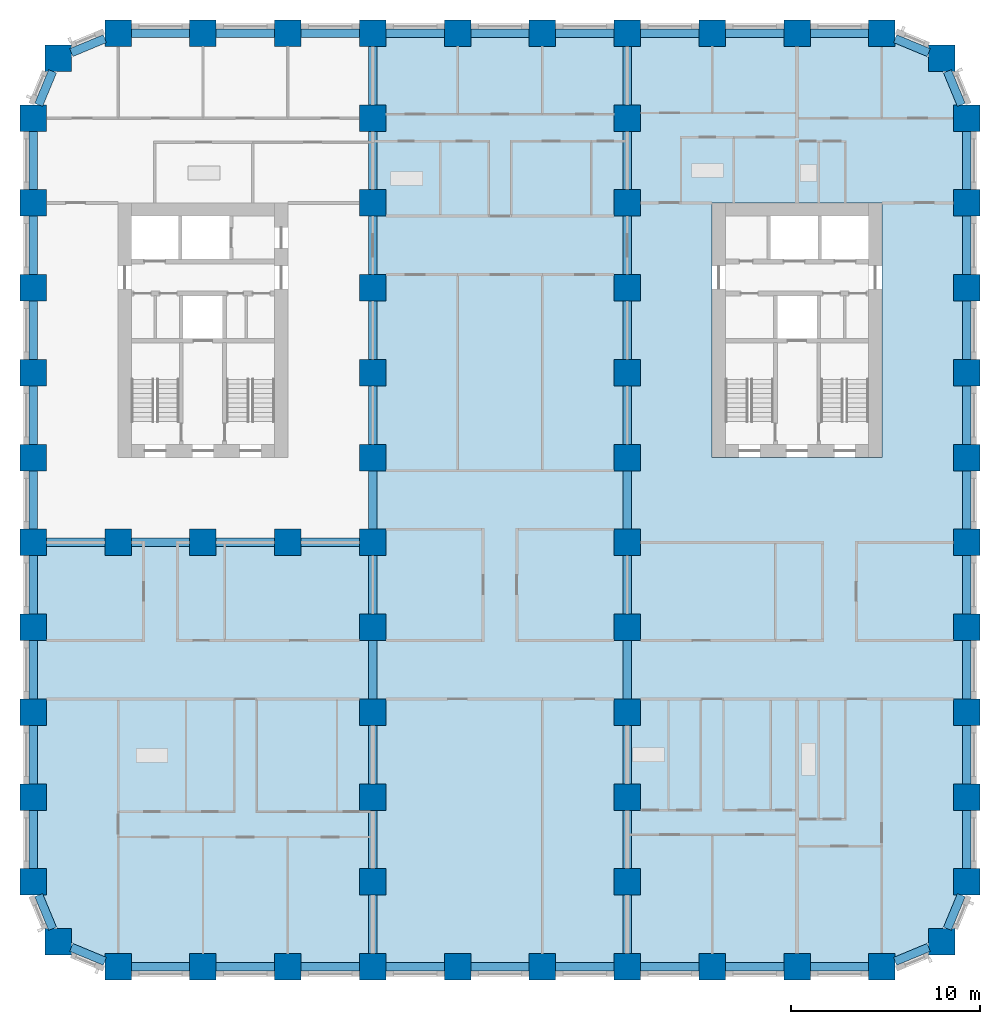
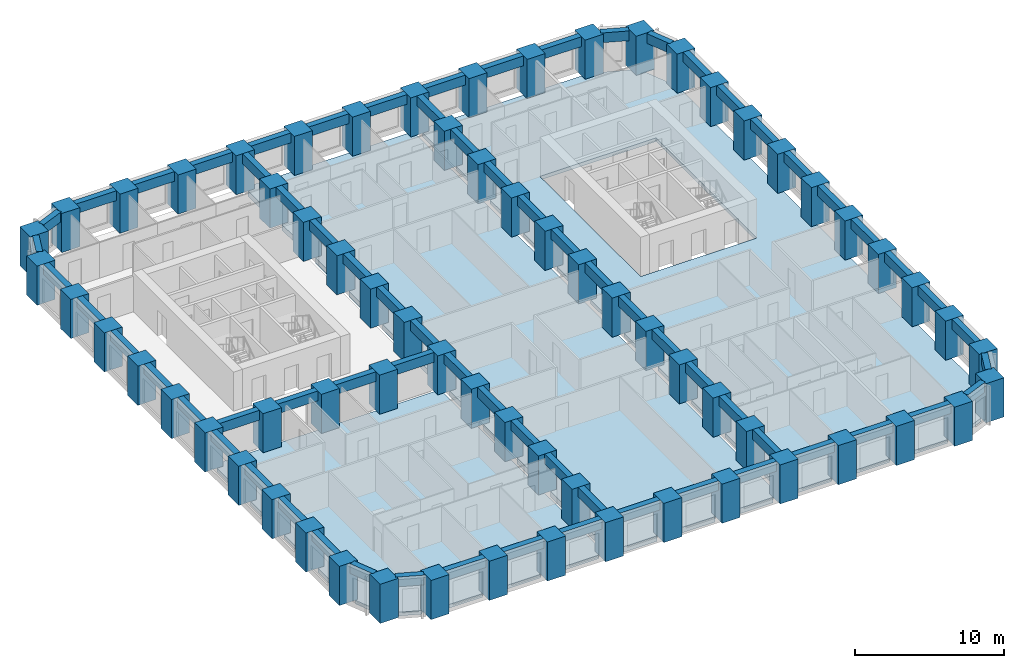
# One storey, part 1 of 13: 70 beams, 67 columns, 3 slabs.
"""IFC4 building model written with IfcOpenShell, lengths in metres."""

from ifc_helpers import new_model, si_unit, direction, frame, origin, origin_2d, place, context, subcontext, project, spatial, polyline, rectangle, outline, extrude, material, layer, layer_set, material_profile, profile_set, type_object, element, save


model = new_model("IFC4")

# Units and contexts
model_context = context("Model", 3, precision=1e-05, world=origin(), true_north=direction((0.0, 1.0)))
body_context = subcontext(model_context, "Body", "Model", "MODEL_VIEW")
ifc_project = project(units=[si_unit("LENGTHUNIT", "METRE"), si_unit("AREAUNIT", "SQUARE_METRE"), si_unit("VOLUMEUNIT", "CUBIC_METRE"), si_unit("PLANEANGLEUNIT", "RADIAN"), si_unit("MASSUNIT", "GRAM", prefix="KILO")], contexts=[model_context])

# Site, building, storey
site_placement = place(None, origin())
site = spatial("IfcSite", under=ifc_project, at=site_placement, CompositionType="ELEMENT")
building_placement = place(site_placement, origin())
building = spatial("IfcBuilding", under=site, at=building_placement, Name="Girih Gate Residences", CompositionType="ELEMENT")
storey_placement = place(building_placement, frame((0.0, 0.0, 56.0)))
storey = spatial("IfcBuildingStorey", under=building, at=storey_placement, Name="L14", CompositionType="ELEMENT", Elevation=56.0)

# Columns
ifc_material_1 = material(Name="Concrete C80/95", Category="concrete")
ifc_material_profile_1 = material_profile(ifc_material_1, rectangle(XDim=1.39990234375, YDim=1.39990234375, at=origin_2d()))
ifc_profile_set_1 = profile_set([ifc_material_profile_1], Name="Concrete C80/95")
column_type = type_object("IfcColumnType", Name="Pier RC 1400x1400 Concrete C80/95", PredefinedType="COLUMN", material=ifc_profile_set_1)
for number, where, z_axis, x_axis, name in (
    (1, (4.5, 0.0, 0.0), (0.0, 0.0, 1.0), (1.0, 0.0, 0.0), "Pier P2A L14"),
    (2, (9.0, 0.0, 0.0), (0.0, 0.0, 1.0), (1.0, 0.0, 0.0), "Pier P3A L14"),
    (3, (13.5, 0.0, 0.0), (0.0, 0.0, 1.0), (1.0, 0.0, 0.0), "Pier P4A L14"),
    (4, (18.0, 0.0, 0.0), (0.0, 0.0, 1.0), (1.0, 0.0, 0.0), "Pier P5A L14"),
    (5, (22.5, 0.0, 0.0), (0.0, 0.0, 1.0), (1.0, 0.0, 0.0), "Pier P6A L14"),
    (6, (27.0, 0.0, 0.0), (0.0, 0.0, 1.0), (1.0, 0.0, 0.0), "Pier P7A L14"),
    (7, (31.5, 0.0, 0.0), (0.0, 0.0, 1.0), (1.0, 0.0, 0.0), "Pier P8A L14"),
    (8, (36.0, 0.0, 0.0), (0.0, 0.0, 1.0), (1.0, 0.0, 0.0), "Pier P9A L14"),
    (9, (40.5, 0.0, 0.0), (0.0, 0.0, 1.0), (1.0, 0.0, 0.0), "Pier P10A L14"),
    (10, (45.0, 0.0, 0.0), (0.0, 0.0, 1.0), (1.0, 0.0, 0.0), "Pier P11A L14"),
    (11, (1.318115234375, 1.318115234375, 0.0), (0.0, 0.0, 1.0), (1.0, 0.0, 0.0), "Pier P1ANE L14"),
    (12, (48.181884765625, 1.318115234375, 0.0), (0.0, 0.0, 1.0), (1.0, 0.0, 0.0), "Pier P12ANW L14"),
    (13, (0.0, 4.5, 0.0), (0.0, 0.0, 1.0), (1.0, 0.0, 0.0), "Pier P1B L14"),
    (14, (18.0, 4.5, 0.0), (0.0, 0.0, 1.0), (1.0, 0.0, 0.0), "Pier P5B L14"),
    (15, (31.5, 4.5, 0.0), (0.0, 0.0, 1.0), (1.0, 0.0, 0.0), "Pier P8B L14"),
    (16, (49.5, 4.5, 0.0), (0.0, 0.0, 1.0), (1.0, 0.0, 0.0), "Pier P12B L14"),
    (17, (0.0, 9.0, 0.0), (0.0, 0.0, 1.0), (1.0, 0.0, 0.0), "Pier P1C L14"),
    (18, (18.0, 9.0, 0.0), (0.0, 0.0, 1.0), (1.0, 0.0, 0.0), "Pier P5C L14"),
    (19, (31.5, 9.0, 0.0), (0.0, 0.0, 1.0), (1.0, 0.0, 0.0), "Pier P8C L14"),
    (20, (49.5, 9.0, 0.0), (0.0, 0.0, 1.0), (1.0, 0.0, 0.0), "Pier P12C L14"),
    (21, (0.0, 13.5, 0.0), (0.0, 0.0, 1.0), (1.0, 0.0, 0.0), "Pier P1D L14"),
    (22, (18.0, 13.5, 0.0), (0.0, 0.0, 1.0), (1.0, 0.0, 0.0), "Pier P5D L14"),
    (23, (31.5, 13.5, 0.0), (0.0, 0.0, 1.0), (1.0, 0.0, 0.0), "Pier P8D L14"),
    (24, (49.5, 13.5, 0.0), (0.0, 0.0, 1.0), (1.0, 0.0, 0.0), "Pier P12D L14"),
    (25, (0.0, 18.0, 0.0), (0.0, 0.0, 1.0), (1.0, 0.0, 0.0), "Pier P1E L14"),
    (26, (18.0, 18.0, 0.0), (0.0, 0.0, 1.0), (1.0, 0.0, 0.0), "Pier P5E L14"),
    (27, (31.5, 18.0, 0.0), (0.0, 0.0, 1.0), (1.0, 0.0, 0.0), "Pier P8E L14"),
    (28, (49.5, 18.0, 0.0), (0.0, 0.0, 1.0), (1.0, 0.0, 0.0), "Pier P12E L14"),
    (29, (0.0, 22.5, 0.0), (0.0, 0.0, 1.0), (1.0, 0.0, 0.0), "Pier P1F L14"),
    (30, (4.5, 22.5, 0.0), (0.0, 0.0, 1.0), (1.0, 0.0, 0.0), "Pier P2F L14"),
    (31, (9.0, 22.5, 0.0), (0.0, 0.0, 1.0), (1.0, 0.0, 0.0), "Pier P3F L14"),
    (32, (13.5, 22.5, 0.0), (0.0, 0.0, 1.0), (1.0, 0.0, 0.0), "Pier P4F L14"),
    (33, (18.0, 22.5, 0.0), (0.0, 0.0, 1.0), (1.0, 0.0, 0.0), "Pier P5F L14"),
    (34, (31.5, 22.5, 0.0), (0.0, 0.0, 1.0), (1.0, 0.0, 0.0), "Pier P8F L14"),
    (35, (49.5, 22.5, 0.0), (0.0, 0.0, 1.0), (1.0, 0.0, 0.0), "Pier P12F L14"),
    (36, (0.0, 27.0, 0.0), (0.0, 0.0, 1.0), (1.0, 0.0, 0.0), "Pier P1G L14"),
    (37, (18.0, 27.0, 0.0), (0.0, 0.0, 1.0), (1.0, 0.0, 0.0), "Pier P5G L14"),
    (38, (31.5, 27.0, 0.0), (0.0, 0.0, 1.0), (1.0, 0.0, 0.0), "Pier P8G L14"),
    (39, (49.5, 27.0, 0.0), (0.0, 0.0, 1.0), (1.0, 0.0, 0.0), "Pier P12G L14"),
    (40, (0.0, 31.5, 0.0), (0.0, 0.0, 1.0), (1.0, 0.0, 0.0), "Pier P1H L14"),
    (41, (18.0, 31.5, 0.0), (0.0, 0.0, 1.0), (1.0, 0.0, 0.0), "Pier P5H L14"),
    (42, (31.5, 31.5, 0.0), (0.0, 0.0, 1.0), (1.0, 0.0, 0.0), "Pier P8H L14"),
    (43, (49.5, 31.5, 0.0), (0.0, 0.0, 1.0), (1.0, 0.0, 0.0), "Pier P12H L14"),
    (44, (0.0, 36.0, 0.0), (0.0, 0.0, 1.0), (1.0, 0.0, 0.0), "Pier P1I L14"),
    (45, (18.0, 36.0, 0.0), (0.0, 0.0, 1.0), (1.0, 0.0, 0.0), "Pier P5I L14"),
    (46, (31.5, 36.0, 0.0), (0.0, 0.0, 1.0), (1.0, 0.0, 0.0), "Pier P8I L14"),
    (47, (49.5, 36.0, 0.0), (0.0, 0.0, 1.0), (1.0, 0.0, 0.0), "Pier P12I L14"),
    (48, (0.0, 40.5, 0.0), (0.0, 0.0, 1.0), (1.0, 0.0, 0.0), "Pier P1J L14"),
    (49, (18.0, 40.5, 0.0), (0.0, 0.0, 1.0), (1.0, 0.0, 0.0), "Pier P5J L14"),
    (50, (31.5, 40.5, 0.0), (0.0, 0.0, 1.0), (1.0, 0.0, 0.0), "Pier P8J L14"),
    (51, (49.5, 40.5, 0.0), (0.0, 0.0, 1.0), (1.0, 0.0, 0.0), "Pier P12J L14"),
    (52, (0.0, 45.0, 0.0), (0.0, 0.0, 1.0), (1.0, 0.0, 0.0), "Pier P1K L14"),
    (53, (18.0, 45.0, 0.0), (0.0, 0.0, 1.0), (1.0, 0.0, 0.0), "Pier P5K L14"),
    (54, (31.5, 45.0, 0.0), (0.0, 0.0, 1.0), (1.0, 0.0, 0.0), "Pier P8K L14"),
    (55, (49.5, 45.0, 0.0), (0.0, 0.0, 1.0), (1.0, 0.0, 0.0), "Pier P12K L14"),
    (56, (1.318115234375, 48.181884765625, 0.0), (0.0, 0.0, 1.0), (1.0, 0.0, 0.0), "Pier P1LSE L14"),
    (57, (48.181884765625, 48.181884765625, 0.0), (0.0, 0.0, 1.0), (1.0, 0.0, 0.0), "Pier P12LSW L14"),
    (58, (4.5, 49.5, 0.0), (0.0, 0.0, 1.0), (1.0, 0.0, 0.0), "Pier P2L L14"),
    (59, (9.0, 49.5, 0.0), (0.0, 0.0, 1.0), (1.0, 0.0, 0.0), "Pier P3L L14"),
    (60, (13.5, 49.5, 0.0), (0.0, 0.0, 1.0), (1.0, 0.0, 0.0), "Pier P4L L14"),
    (61, (18.0, 49.5, 0.0), (0.0, 0.0, 1.0), (1.0, 0.0, 0.0), "Pier P5L L14"),
    (62, (22.5, 49.5, 0.0), (0.0, 0.0, 1.0), (1.0, 0.0, 0.0), "Pier P6L L14"),
    (63, (27.0, 49.5, 0.0), (0.0, 0.0, 1.0), (1.0, 0.0, 0.0), "Pier P7L L14"),
    (64, (31.5, 49.5, 0.0), (0.0, 0.0, 1.0), (1.0, 0.0, 0.0), "Pier P8L L14"),
    (65, (36.0, 49.5, 0.0), (0.0, 0.0, 1.0), (1.0, 0.0, 0.0), "Pier P9L L14"),
    (66, (40.5, 49.5, 0.0), (0.0, 0.0, 1.0), (1.0, 0.0, 0.0), "Pier P10L L14"),
    (67, (45.0, 49.5, 0.0), (0.0, 0.0, 1.0), (1.0, 0.0, 0.0), "Pier P11L L14"),
):
    element("IfcColumn", number, at=place(storey_placement, frame(where, z_axis=z_axis, x_axis=x_axis)), inside=storey, type_object=column_type, Name=name, PredefinedType="COLUMN", context=body_context, shape_type="SweptSolid", body=[
        extrude(rectangle(XDim=1.39990234375, YDim=1.39990234375, at=origin_2d()), origin(), (0.0, 0.0, 1.0), 3.199951171875),
    ])

# Beams
ifc_material_2 = material(Name="Concrete C60/75", Category="concrete")
ifc_material_profile_2 = material_profile(ifc_material_2, rectangle(XDim=0.449951171875, YDim=0.800048828125, at=origin_2d()))
ifc_profile_set_2 = profile_set([ifc_material_profile_2], Name="Concrete C60/75")
beam_type = type_object("IfcBeamType", Name="Spandrel girder RC 450x800 Concrete C60/75", PredefinedType="BEAM", material=ifc_profile_set_2)
for number, where, z_axis, x_axis, name in (
    (68, (0.2900390625, 3.800048828125, 2.800048828125), (0.382646180293, -0.923894961945, 0.0), (0.923894961945, 0.382646180293, 0.0), "Spandrel girder SP-P1B-P1ANE L14"),
    (69, (2.01806640625, 1.028076171875, 2.800048828125), (0.923894961945, -0.382646180293, 0.0), (0.382646180293, 0.923894961945, 0.0), "Spandrel girder SP-P1ANE-P2A L14"),
):
    element("IfcBeam", number, at=place(storey_placement, frame(where, z_axis=z_axis, x_axis=x_axis)), inside=storey, type_object=beam_type, Name=name, PredefinedType="BEAM", context=body_context, shape_type="SweptSolid", body=[
        extrude(rectangle(XDim=0.449951171875, YDim=0.800048828125, at=origin_2d()), origin(), (0.0, 0.0, 1.0), 1.9287109375),
    ])
for number, where, z_axis, x_axis, name in (
    (70, (5.199951171875, 0.0, 2.800048828125), (1.0, 0.0, 0.0), (0.0, 1.0, 0.0), "Spandrel girder SP-P2A-P3A L14"),
    (71, (9.699951171875, 0.0, 2.800048828125), (1.0, 0.0, 0.0), (0.0, 1.0, 0.0), "Spandrel girder SP-P3A-P4A L14"),
    (72, (14.199951171875, 0.0, 2.800048828125), (1.0, 0.0, 0.0), (0.0, 1.0, 0.0), "Spandrel girder SP-P4A-P5A L14"),
    (73, (18.699951171875, 0.0, 2.800048828125), (1.0, 0.0, 0.0), (0.0, 1.0, 0.0), "Spandrel girder SP-P5A-P6A L14"),
    (74, (23.199951171875, 0.0, 2.800048828125), (1.0, 0.0, 0.0), (0.0, 1.0, 0.0), "Spandrel girder SP-P6A-P7A L14"),
    (75, (27.699951171875, 0.0, 2.800048828125), (1.0, 0.0, 0.0), (0.0, 1.0, 0.0), "Spandrel girder SP-P7A-P8A L14"),
    (76, (32.199951171875, 0.0, 2.800048828125), (1.0, 0.0, 0.0), (0.0, 1.0, 0.0), "Spandrel girder SP-P8A-P9A L14"),
    (77, (36.699951171875, 0.0, 2.800048828125), (1.0, 0.0, 0.0), (0.0, 1.0, 0.0), "Spandrel girder SP-P9A-P10A L14"),
    (78, (41.199951171875, 0.0, 2.800048828125), (1.0, 0.0, 0.0), (0.0, 1.0, 0.0), "Spandrel girder SP-P10A-P11A L14"),
):
    element("IfcBeam", number, at=place(storey_placement, frame(where, z_axis=z_axis, x_axis=x_axis)), inside=storey, type_object=beam_type, Name=name, PredefinedType="BEAM", context=body_context, shape_type="SweptSolid", body=[
        extrude(rectangle(XDim=0.449951171875, YDim=0.800048828125, at=origin_2d()), origin(), (0.0, 0.0, 1.0), 3.10009765625),
    ])
for number, where, z_axis, x_axis, name in (
    (79, (45.699951171875, 0.2900390625, 2.800048828125), (0.923894961945, 0.382646180293, 0.0), (-0.382646180293, 0.923894961945, 0.0), "Spandrel girder SP-P11A-P12ANW L14"),
    (80, (48.471923828125, 2.01806640625, 2.800048828125), (0.382646180293, 0.923894961945, 0.0), (-0.923894961945, 0.382646180293, 0.0), "Spandrel girder SP-P12ANW-P12B L14"),
):
    element("IfcBeam", number, at=place(storey_placement, frame(where, z_axis=z_axis, x_axis=x_axis)), inside=storey, type_object=beam_type, Name=name, PredefinedType="BEAM", context=body_context, shape_type="SweptSolid", body=[
        extrude(rectangle(XDim=0.449951171875, YDim=0.800048828125, at=origin_2d()), origin(), (0.0, 0.0, 1.0), 1.9287109375),
    ])
for number, where, z_axis, x_axis, name in (
    (81, (49.5, 5.199951171875, 2.800048828125), (0.0, 1.0, 0.0), (-1.0, 0.0, 0.0), "Spandrel girder SP-P12B-P12C L14"),
    (82, (49.5, 9.699951171875, 2.800048828125), (0.0, 1.0, 0.0), (-1.0, 0.0, 0.0), "Spandrel girder SP-P12C-P12D L14"),
    (83, (49.5, 14.199951171875, 2.800048828125), (0.0, 1.0, 0.0), (-1.0, 0.0, 0.0), "Spandrel girder SP-P12D-P12E L14"),
    (84, (49.5, 18.699951171875, 2.800048828125), (0.0, 1.0, 0.0), (-1.0, 0.0, 0.0), "Spandrel girder SP-P12E-P12F L14"),
    (85, (49.5, 23.199951171875, 2.800048828125), (0.0, 1.0, 0.0), (-1.0, 0.0, 0.0), "Spandrel girder SP-P12F-P12G L14"),
    (86, (49.5, 27.699951171875, 2.800048828125), (0.0, 1.0, 0.0), (-1.0, 0.0, 0.0), "Spandrel girder SP-P12G-P12H L14"),
    (87, (49.5, 32.199951171875, 2.800048828125), (0.0, 1.0, 0.0), (-1.0, 0.0, 0.0), "Spandrel girder SP-P12H-P12I L14"),
    (88, (49.5, 36.699951171875, 2.800048828125), (0.0, 1.0, 0.0), (-1.0, 0.0, 0.0), "Spandrel girder SP-P12I-P12J L14"),
    (89, (49.5, 41.199951171875, 2.800048828125), (0.0, 1.0, 0.0), (-1.0, 0.0, 0.0), "Spandrel girder SP-P12J-P12K L14"),
):
    element("IfcBeam", number, at=place(storey_placement, frame(where, z_axis=z_axis, x_axis=x_axis)), inside=storey, type_object=beam_type, Name=name, PredefinedType="BEAM", context=body_context, shape_type="SweptSolid", body=[
        extrude(rectangle(XDim=0.449951171875, YDim=0.800048828125, at=origin_2d()), origin(), (0.0, 0.0, 1.0), 3.10009765625),
    ])
for number, where, z_axis, x_axis, name in (
    (90, (49.2099609375, 45.699951171875, 2.800048828125), (-0.382646180293, 0.923894961945, 0.0), (-0.923894961945, -0.382646180293, 0.0), "Spandrel girder SP-P12K-P12LSW L14"),
    (91, (47.48193359375, 48.471923828125, 2.800048828125), (-0.923894961945, 0.382646180293, 0.0), (-0.382646180293, -0.923894961945, 0.0), "Spandrel girder SP-P12LSW-P11L L14"),
):
    element("IfcBeam", number, at=place(storey_placement, frame(where, z_axis=z_axis, x_axis=x_axis)), inside=storey, type_object=beam_type, Name=name, PredefinedType="BEAM", context=body_context, shape_type="SweptSolid", body=[
        extrude(rectangle(XDim=0.449951171875, YDim=0.800048828125, at=origin_2d()), origin(), (0.0, 0.0, 1.0), 1.9287109375),
    ])
for number, where, z_axis, x_axis, name in (
    (92, (44.300048828125, 49.5, 2.800048828125), (-1.0, 0.0, 0.0), (0.0, -1.0, 0.0), "Spandrel girder SP-P11L-P10L L14"),
    (93, (39.800048828125, 49.5, 2.800048828125), (-1.0, 0.0, 0.0), (0.0, -1.0, 0.0), "Spandrel girder SP-P10L-P9L L14"),
    (94, (35.300048828125, 49.5, 2.800048828125), (-1.0, 0.0, 0.0), (0.0, -1.0, 0.0), "Spandrel girder SP-P9L-P8L L14"),
    (95, (30.800048828125, 49.5, 2.800048828125), (-1.0, 0.0, 0.0), (0.0, -1.0, 0.0), "Spandrel girder SP-P8L-P7L L14"),
    (96, (26.300048828125, 49.5, 2.800048828125), (-1.0, 0.0, 0.0), (0.0, -1.0, 0.0), "Spandrel girder SP-P7L-P6L L14"),
    (97, (21.800048828125, 49.5, 2.800048828125), (-1.0, 0.0, 0.0), (0.0, -1.0, 0.0), "Spandrel girder SP-P6L-P5L L14"),
    (98, (17.300048828125, 49.5, 2.800048828125), (-1.0, 0.0, 0.0), (0.0, -1.0, 0.0), "Spandrel girder SP-P5L-P4L L14"),
    (99, (12.800048828125, 49.5, 2.800048828125), (-1.0, 0.0, 0.0), (0.0, -1.0, 0.0), "Spandrel girder SP-P4L-P3L L14"),
    (100, (8.300048828125, 49.5, 2.800048828125), (-1.0, 0.0, 0.0), (0.0, -1.0, 0.0), "Spandrel girder SP-P3L-P2L L14"),
):
    element("IfcBeam", number, at=place(storey_placement, frame(where, z_axis=z_axis, x_axis=x_axis)), inside=storey, type_object=beam_type, Name=name, PredefinedType="BEAM", context=body_context, shape_type="SweptSolid", body=[
        extrude(rectangle(XDim=0.449951171875, YDim=0.800048828125, at=origin_2d()), origin(), (0.0, 0.0, 1.0), 3.10009765625),
    ])
for number, where, z_axis, x_axis, name in (
    (101, (3.800048828125, 49.2099609375, 2.800048828125), (-0.923894961945, -0.382646180293, 0.0), (0.382646180293, -0.923894961945, 0.0), "Spandrel girder SP-P2L-P1LSE L14"),
    (102, (1.028076171875, 47.48193359375, 2.800048828125), (-0.382646180293, -0.923894961945, 0.0), (0.923894961945, -0.382646180293, 0.0), "Spandrel girder SP-P1LSE-P1K L14"),
):
    element("IfcBeam", number, at=place(storey_placement, frame(where, z_axis=z_axis, x_axis=x_axis)), inside=storey, type_object=beam_type, Name=name, PredefinedType="BEAM", context=body_context, shape_type="SweptSolid", body=[
        extrude(rectangle(XDim=0.449951171875, YDim=0.800048828125, at=origin_2d()), origin(), (0.0, 0.0, 1.0), 1.9287109375),
    ])
for number, where, z_axis, x_axis, name in (
    (103, (0.0, 44.300048828125, 2.800048828125), (0.0, -1.0, 0.0), (1.0, 0.0, 0.0), "Spandrel girder SP-P1K-P1J L14"),
    (104, (0.0, 39.800048828125, 2.800048828125), (0.0, -1.0, 0.0), (1.0, 0.0, 0.0), "Spandrel girder SP-P1J-P1I L14"),
    (105, (0.0, 35.300048828125, 2.800048828125), (0.0, -1.0, 0.0), (1.0, 0.0, 0.0), "Spandrel girder SP-P1I-P1H L14"),
    (106, (0.0, 30.800048828125, 2.800048828125), (0.0, -1.0, 0.0), (1.0, 0.0, 0.0), "Spandrel girder SP-P1H-P1G L14"),
    (107, (0.0, 26.300048828125, 2.800048828125), (0.0, -1.0, 0.0), (1.0, 0.0, 0.0), "Spandrel girder SP-P1G-P1F L14"),
    (108, (0.0, 21.800048828125, 2.800048828125), (0.0, -1.0, 0.0), (1.0, 0.0, 0.0), "Spandrel girder SP-P1F-P1E L14"),
    (109, (0.0, 17.300048828125, 2.800048828125), (0.0, -1.0, 0.0), (1.0, 0.0, 0.0), "Spandrel girder SP-P1E-P1D L14"),
    (110, (0.0, 12.800048828125, 2.800048828125), (0.0, -1.0, 0.0), (1.0, 0.0, 0.0), "Spandrel girder SP-P1D-P1C L14"),
    (111, (0.0, 8.300048828125, 2.800048828125), (0.0, -1.0, 0.0), (1.0, 0.0, 0.0), "Spandrel girder SP-P1C-P1B L14"),
    (112, (18.0, 0.699951171875, 2.800048828125), (0.0, 1.0, 0.0), (-1.0, 0.0, 0.0), "Spandrel girder SP-P5A-P5B L14"),
    (113, (18.0, 5.199951171875, 2.800048828125), (0.0, 1.0, 0.0), (-1.0, 0.0, 0.0), "Spandrel girder SP-P5B-P5C L14"),
    (114, (18.0, 9.699951171875, 2.800048828125), (0.0, 1.0, 0.0), (-1.0, 0.0, 0.0), "Spandrel girder SP-P5C-P5D L14"),
    (115, (18.0, 14.199951171875, 2.800048828125), (0.0, 1.0, 0.0), (-1.0, 0.0, 0.0), "Spandrel girder SP-P5D-P5E L14"),
    (116, (18.0, 18.699951171875, 2.800048828125), (0.0, 1.0, 0.0), (-1.0, 0.0, 0.0), "Spandrel girder SP-P5E-P5F L14"),
    (117, (18.0, 23.199951171875, 2.800048828125), (0.0, 1.0, 0.0), (-1.0, 0.0, 0.0), "Spandrel girder SP-P5F-P5G L14"),
    (118, (18.0, 27.699951171875, 2.800048828125), (0.0, 1.0, 0.0), (-1.0, 0.0, 0.0), "Spandrel girder SP-P5G-P5H L14"),
    (119, (18.0, 32.199951171875, 2.800048828125), (0.0, 1.0, 0.0), (-1.0, 0.0, 0.0), "Spandrel girder SP-P5H-P5I L14"),
    (120, (18.0, 36.699951171875, 2.800048828125), (0.0, 1.0, 0.0), (-1.0, 0.0, 0.0), "Spandrel girder SP-P5I-P5J L14"),
    (121, (18.0, 41.199951171875, 2.800048828125), (0.0, 1.0, 0.0), (-1.0, 0.0, 0.0), "Spandrel girder SP-P5J-P5K L14"),
    (122, (18.0, 45.699951171875, 2.800048828125), (0.0, 1.0, 0.0), (-1.0, 0.0, 0.0), "Spandrel girder SP-P5K-P5L L14"),
    (123, (31.5, 0.699951171875, 2.800048828125), (0.0, 1.0, 0.0), (-1.0, 0.0, 0.0), "Spandrel girder SP-P8A-P8B L14"),
    (124, (31.5, 5.199951171875, 2.800048828125), (0.0, 1.0, 0.0), (-1.0, 0.0, 0.0), "Spandrel girder SP-P8B-P8C L14"),
    (125, (31.5, 9.699951171875, 2.800048828125), (0.0, 1.0, 0.0), (-1.0, 0.0, 0.0), "Spandrel girder SP-P8C-P8D L14"),
    (126, (31.5, 14.199951171875, 2.800048828125), (0.0, 1.0, 0.0), (-1.0, 0.0, 0.0), "Spandrel girder SP-P8D-P8E L14"),
    (127, (31.5, 18.699951171875, 2.800048828125), (0.0, 1.0, 0.0), (-1.0, 0.0, 0.0), "Spandrel girder SP-P8E-P8F L14"),
    (128, (31.5, 23.199951171875, 2.800048828125), (0.0, 1.0, 0.0), (-1.0, 0.0, 0.0), "Spandrel girder SP-P8F-P8G L14"),
    (129, (31.5, 27.699951171875, 2.800048828125), (0.0, 1.0, 0.0), (-1.0, 0.0, 0.0), "Spandrel girder SP-P8G-P8H L14"),
    (130, (31.5, 32.199951171875, 2.800048828125), (0.0, 1.0, 0.0), (-1.0, 0.0, 0.0), "Spandrel girder SP-P8H-P8I L14"),
    (131, (31.5, 36.699951171875, 2.800048828125), (0.0, 1.0, 0.0), (-1.0, 0.0, 0.0), "Spandrel girder SP-P8I-P8J L14"),
    (132, (31.5, 41.199951171875, 2.800048828125), (0.0, 1.0, 0.0), (-1.0, 0.0, 0.0), "Spandrel girder SP-P8J-P8K L14"),
    (133, (31.5, 45.699951171875, 2.800048828125), (0.0, 1.0, 0.0), (-1.0, 0.0, 0.0), "Spandrel girder SP-P8K-P8L L14"),
    (134, (0.699951171875, 22.5, 2.800048828125), (1.0, 0.0, 0.0), (0.0, 1.0, 0.0), "Spandrel girder SP-P1F-P2F L14"),
    (135, (5.199951171875, 22.5, 2.800048828125), (1.0, 0.0, 0.0), (0.0, 1.0, 0.0), "Spandrel girder SP-P2F-P3F L14"),
    (136, (9.699951171875, 22.5, 2.800048828125), (1.0, 0.0, 0.0), (0.0, 1.0, 0.0), "Spandrel girder SP-P3F-P4F L14"),
    (137, (14.199951171875, 22.5, 2.800048828125), (1.0, 0.0, 0.0), (0.0, 1.0, 0.0), "Spandrel girder SP-P4F-P5F L14"),
):
    element("IfcBeam", number, at=place(storey_placement, frame(where, z_axis=z_axis, x_axis=x_axis)), inside=storey, type_object=beam_type, Name=name, PredefinedType="BEAM", context=body_context, shape_type="SweptSolid", body=[
        extrude(rectangle(XDim=0.449951171875, YDim=0.800048828125, at=origin_2d()), origin(), (0.0, 0.0, 1.0), 3.10009765625),
    ])

# Slabs
ifc_material_3 = material(Name="Concrete C40/50", Category="concrete")
ifc_layer_1 = layer(ifc_material_3, 0.300048828125)
ifc_layer_set_1 = layer_set([ifc_layer_1], Name="Floor slab PT 300 Concrete C40/50")
slab_type_1 = type_object("IfcSlabType", Name="Floor slab PT 300 Concrete C40/50", PredefinedType="FLOOR", material=ifc_layer_set_1)
slab_1_placement = place(storey_placement, frame((0.0, 0.0, -0.300048828125)))
element("IfcSlab", 138, at=slab_1_placement, inside=storey, type_object=slab_type_1, Name="Floor slab L14 0", PredefinedType="FLOOR", context=body_context, shape_type="SweptSolid", body=[
    extrude(outline(polyline([(0.22509765625, 8.300048828125), (0.22509765625, 5.199951171875), (0.699951171875, 5.199951171875), (0.699951171875, 3.800048828125), (0.533447265625, 3.800048828125), (1.271728515625, 2.01806640625), (2.01806640625, 2.01806640625), (2.01806640625, 1.271728515625), (3.800048828125, 0.533447265625), (3.800048828125, 0.699951171875), (5.199951171875, 0.699951171875), (5.199951171875, 0.22509765625), (8.300048828125, 0.22509765625), (8.300048828125, 0.699951171875), (9.699951171875, 0.699951171875), (9.699951171875, 0.22509765625), (12.800048828125, 0.22509765625), (12.800048828125, 0.699951171875), (14.199951171875, 0.699951171875), (14.199951171875, 0.22509765625), (17.300048828125, 0.22509765625), (17.300048828125, 0.699951171875), (17.77490234375, 0.699951171875), (17.77490234375, 3.800048828125), (17.300048828125, 3.800048828125), (17.300048828125, 5.199951171875), (17.77490234375, 5.199951171875), (17.77490234375, 8.300048828125), (17.300048828125, 8.300048828125), (17.300048828125, 9.699951171875), (17.77490234375, 9.699951171875), (17.77490234375, 12.800048828125), (17.300048828125, 12.800048828125), (17.300048828125, 14.199951171875), (17.77490234375, 14.199951171875), (17.77490234375, 17.300048828125), (17.300048828125, 17.300048828125), (17.300048828125, 18.699951171875), (17.77490234375, 18.699951171875), (17.77490234375, 21.800048828125), (17.300048828125, 21.800048828125), (17.300048828125, 22.27490234375), (14.199951171875, 22.27490234375), (14.199951171875, 21.800048828125), (12.800048828125, 21.800048828125), (12.800048828125, 22.27490234375), (9.699951171875, 22.27490234375), (9.699951171875, 21.800048828125), (8.300048828125, 21.800048828125), (8.300048828125, 22.27490234375), (5.199951171875, 22.27490234375), (5.199951171875, 21.800048828125), (3.800048828125, 21.800048828125), (3.800048828125, 22.27490234375), (0.699951171875, 22.27490234375), (0.699951171875, 21.800048828125), (0.22509765625, 21.800048828125), (0.22509765625, 18.699951171875), (0.699951171875, 18.699951171875), (0.699951171875, 17.300048828125), (0.22509765625, 17.300048828125), (0.22509765625, 14.199951171875), (0.699951171875, 14.199951171875), (0.699951171875, 12.800048828125), (0.22509765625, 12.800048828125), (0.22509765625, 9.699951171875), (0.699951171875, 9.699951171875), (0.699951171875, 8.300048828125), (0.22509765625, 8.300048828125)])), origin(), (0.0, 0.0, 1.0), 0.300048828125),
])
slab_2_placement = place(storey_placement, frame((0.0, 0.0, -0.300048828125)))
element("IfcSlab", 139, at=slab_2_placement, inside=storey, type_object=slab_type_1, Name="Floor slab L14 1", PredefinedType="FLOOR", context=body_context, shape_type="SweptSolid", body=[
    extrude(outline(polyline([(35.300048828125, 49.27490234375), (32.199951171875, 49.27490234375), (32.199951171875, 48.800048828125), (31.72509765625, 48.800048828125), (31.72509765625, 45.699951171875), (32.199951171875, 45.699951171875), (32.199951171875, 44.300048828125), (31.72509765625, 44.300048828125), (31.72509765625, 41.199951171875), (32.199951171875, 41.199951171875), (32.199951171875, 39.800048828125), (31.72509765625, 39.800048828125), (31.72509765625, 36.699951171875), (32.199951171875, 36.699951171875), (32.199951171875, 35.300048828125), (31.72509765625, 35.300048828125), (31.72509765625, 32.199951171875), (32.199951171875, 32.199951171875), (32.199951171875, 30.800048828125), (31.72509765625, 30.800048828125), (31.72509765625, 27.699951171875), (32.199951171875, 27.699951171875), (32.199951171875, 26.300048828125), (31.72509765625, 26.300048828125), (31.72509765625, 23.199951171875), (32.199951171875, 23.199951171875), (32.199951171875, 21.800048828125), (31.72509765625, 21.800048828125), (31.72509765625, 18.699951171875), (32.199951171875, 18.699951171875), (32.199951171875, 17.300048828125), (31.72509765625, 17.300048828125), (31.72509765625, 14.199951171875), (32.199951171875, 14.199951171875), (32.199951171875, 12.800048828125), (31.72509765625, 12.800048828125), (31.72509765625, 9.699951171875), (32.199951171875, 9.699951171875), (32.199951171875, 8.300048828125), (31.72509765625, 8.300048828125), (31.72509765625, 5.199951171875), (32.199951171875, 5.199951171875), (32.199951171875, 3.800048828125), (31.72509765625, 3.800048828125), (31.72509765625, 0.699951171875), (32.199951171875, 0.699951171875), (32.199951171875, 0.22509765625), (35.300048828125, 0.22509765625), (35.300048828125, 0.699951171875), (36.699951171875, 0.699951171875), (36.699951171875, 0.22509765625), (39.800048828125, 0.22509765625), (39.800048828125, 0.699951171875), (41.199951171875, 0.699951171875), (41.199951171875, 0.22509765625), (44.300048828125, 0.22509765625), (44.300048828125, 0.699951171875), (45.699951171875, 0.699951171875), (45.699951171875, 0.533447265625), (47.48193359375, 1.271728515625), (47.48193359375, 2.01806640625), (48.228271484375, 2.01806640625), (48.966552734375, 3.800048828125), (48.800048828125, 3.800048828125), (48.800048828125, 5.199951171875), (49.27490234375, 5.199951171875), (49.27490234375, 8.300048828125), (48.800048828125, 8.300048828125), (48.800048828125, 9.699951171875), (49.27490234375, 9.699951171875), (49.27490234375, 12.800048828125), (48.800048828125, 12.800048828125), (48.800048828125, 14.199951171875), (49.27490234375, 14.199951171875), (49.27490234375, 17.300048828125), (48.800048828125, 17.300048828125), (48.800048828125, 18.699951171875), (49.27490234375, 18.699951171875), (49.27490234375, 21.800048828125), (48.800048828125, 21.800048828125), (48.800048828125, 23.199951171875), (49.27490234375, 23.199951171875), (49.27490234375, 26.300048828125), (48.800048828125, 26.300048828125), (48.800048828125, 27.699951171875), (49.27490234375, 27.699951171875), (49.27490234375, 30.800048828125), (48.800048828125, 30.800048828125), (48.800048828125, 32.199951171875), (49.27490234375, 32.199951171875), (49.27490234375, 35.300048828125), (48.800048828125, 35.300048828125), (48.800048828125, 36.699951171875), (49.27490234375, 36.699951171875), (49.27490234375, 39.800048828125), (48.800048828125, 39.800048828125), (48.800048828125, 41.199951171875), (49.27490234375, 41.199951171875), (49.27490234375, 44.300048828125), (48.800048828125, 44.300048828125), (48.800048828125, 45.699951171875), (48.966552734375, 45.699951171875), (48.228271484375, 47.48193359375), (47.48193359375, 47.48193359375), (47.48193359375, 48.228271484375), (45.699951171875, 48.966552734375), (45.699951171875, 48.800048828125), (44.300048828125, 48.800048828125), (44.300048828125, 49.27490234375), (41.199951171875, 49.27490234375), (41.199951171875, 48.800048828125), (39.800048828125, 48.800048828125), (39.800048828125, 49.27490234375), (36.699951171875, 49.27490234375), (36.699951171875, 48.800048828125), (35.300048828125, 48.800048828125), (35.300048828125, 49.27490234375)]), holes=[polyline([(45.0, 40.5), (45.0, 27.0), (36.0, 27.0), (36.0, 40.5), (45.0, 40.5)])]), origin(), (0.0, 0.0, 1.0), 0.300048828125),
])
ifc_layer_2 = layer(ifc_material_3, 0.449951171875)
ifc_layer_set_2 = layer_set([ifc_layer_2], Name="Floor slab PT 450 Concrete C40/50")
slab_type_2 = type_object("IfcSlabType", Name="Floor slab PT 450 Concrete C40/50", PredefinedType="FLOOR", material=ifc_layer_set_2)
slab_3_placement = place(storey_placement, frame((0.0, 0.0, -0.449951171875)))
element("IfcSlab", 140, at=slab_3_placement, inside=storey, type_object=slab_type_2, Name="Floor slab L14 2", PredefinedType="FLOOR", context=body_context, shape_type="SweptSolid", body=[
    extrude(outline(polyline([(21.800048828125, 49.27490234375), (18.699951171875, 49.27490234375), (18.699951171875, 48.800048828125), (18.22509765625, 48.800048828125), (18.22509765625, 45.699951171875), (18.699951171875, 45.699951171875), (18.699951171875, 44.300048828125), (18.22509765625, 44.300048828125), (18.22509765625, 41.199951171875), (18.699951171875, 41.199951171875), (18.699951171875, 39.800048828125), (18.22509765625, 39.800048828125), (18.22509765625, 36.699951171875), (18.699951171875, 36.699951171875), (18.699951171875, 35.300048828125), (18.22509765625, 35.300048828125), (18.22509765625, 32.199951171875), (18.699951171875, 32.199951171875), (18.699951171875, 30.800048828125), (18.22509765625, 30.800048828125), (18.22509765625, 27.699951171875), (18.699951171875, 27.699951171875), (18.699951171875, 26.300048828125), (18.22509765625, 26.300048828125), (18.22509765625, 23.199951171875), (18.699951171875, 23.199951171875), (18.699951171875, 21.800048828125), (18.22509765625, 21.800048828125), (18.22509765625, 18.699951171875), (18.699951171875, 18.699951171875), (18.699951171875, 17.300048828125), (18.22509765625, 17.300048828125), (18.22509765625, 14.199951171875), (18.699951171875, 14.199951171875), (18.699951171875, 12.800048828125), (18.22509765625, 12.800048828125), (18.22509765625, 9.699951171875), (18.699951171875, 9.699951171875), (18.699951171875, 8.300048828125), (18.22509765625, 8.300048828125), (18.22509765625, 5.199951171875), (18.699951171875, 5.199951171875), (18.699951171875, 3.800048828125), (18.22509765625, 3.800048828125), (18.22509765625, 0.699951171875), (18.699951171875, 0.699951171875), (18.699951171875, 0.22509765625), (21.800048828125, 0.22509765625), (21.800048828125, 0.699951171875), (23.199951171875, 0.699951171875), (23.199951171875, 0.22509765625), (26.300048828125, 0.22509765625), (26.300048828125, 0.699951171875), (27.699951171875, 0.699951171875), (27.699951171875, 0.22509765625), (30.800048828125, 0.22509765625), (30.800048828125, 0.699951171875), (31.27490234375, 0.699951171875), (31.27490234375, 3.800048828125), (30.800048828125, 3.800048828125), (30.800048828125, 5.199951171875), (31.27490234375, 5.199951171875), (31.27490234375, 8.300048828125), (30.800048828125, 8.300048828125), (30.800048828125, 9.699951171875), (31.27490234375, 9.699951171875), (31.27490234375, 12.800048828125), (30.800048828125, 12.800048828125), (30.800048828125, 14.199951171875), (31.27490234375, 14.199951171875), (31.27490234375, 17.300048828125), (30.800048828125, 17.300048828125), (30.800048828125, 18.699951171875), (31.27490234375, 18.699951171875), (31.27490234375, 21.800048828125), (30.800048828125, 21.800048828125), (30.800048828125, 23.199951171875), (31.27490234375, 23.199951171875), (31.27490234375, 26.300048828125), (30.800048828125, 26.300048828125), (30.800048828125, 27.699951171875), (31.27490234375, 27.699951171875), (31.27490234375, 30.800048828125), (30.800048828125, 30.800048828125), (30.800048828125, 32.199951171875), (31.27490234375, 32.199951171875), (31.27490234375, 35.300048828125), (30.800048828125, 35.300048828125), (30.800048828125, 36.699951171875), (31.27490234375, 36.699951171875), (31.27490234375, 39.800048828125), (30.800048828125, 39.800048828125), (30.800048828125, 41.199951171875), (31.27490234375, 41.199951171875), (31.27490234375, 44.300048828125), (30.800048828125, 44.300048828125), (30.800048828125, 45.699951171875), (31.27490234375, 45.699951171875), (31.27490234375, 48.800048828125), (30.800048828125, 48.800048828125), (30.800048828125, 49.27490234375), (27.699951171875, 49.27490234375), (27.699951171875, 48.800048828125), (26.300048828125, 48.800048828125), (26.300048828125, 49.27490234375), (23.199951171875, 49.27490234375), (23.199951171875, 48.800048828125), (21.800048828125, 48.800048828125), (21.800048828125, 49.27490234375)])), origin(), (0.0, 0.0, 1.0), 0.449951171875),
])

save(model, "model.ifc")
